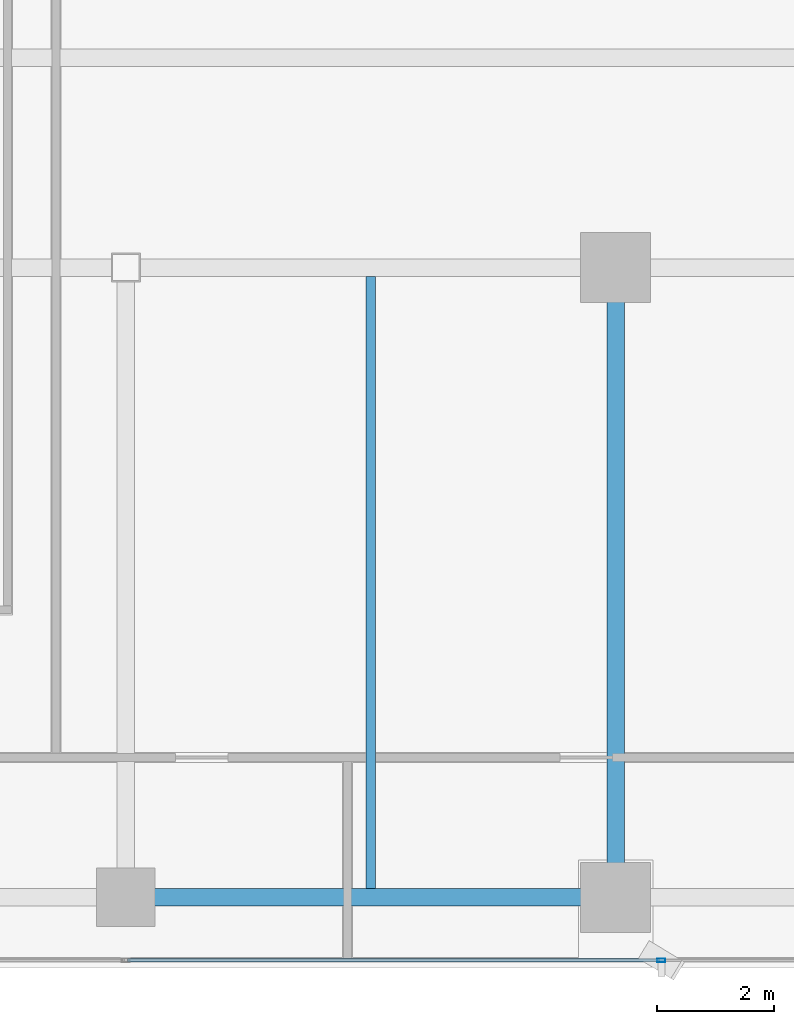
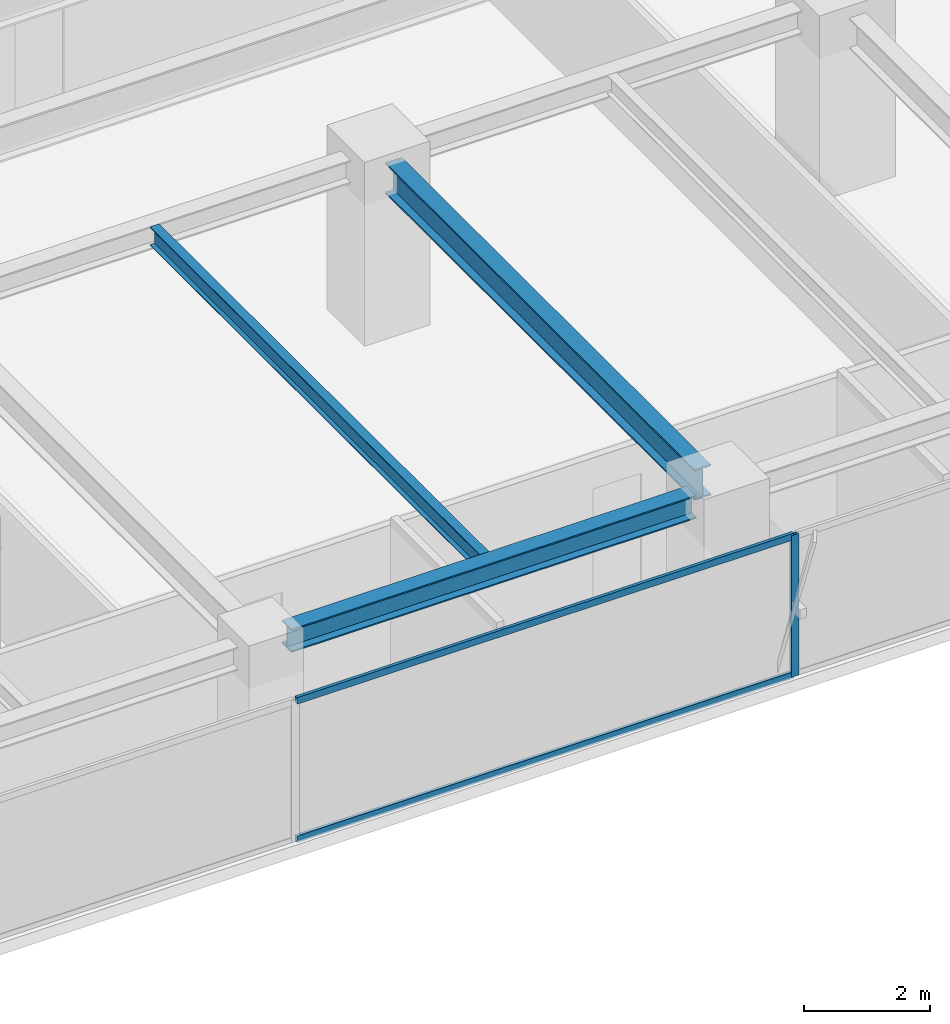
# One storey, part 7 of 26: 3 beams, 3 members, 1 element without a shape of its own.
"""IFC4 building model written with IfcOpenShell, lengths in metres."""

from ifc_helpers import new_model, si_unit, direction, frame, origin, origin_2d, place, context, subcontext, project, spatial, hollow_rectangle, i_section, extrude, source, transform, mapped, material, layer, layer_set, material_profile, profile_set, type_object, element, aggregate, save


model = new_model("IFC4")

# Units and contexts
model_context = context("Model", 3, precision=1e-05, world=origin(), true_north=direction((0.0, 1.0)))
body_context = subcontext(model_context, "Body", "Model", "MODEL_VIEW")
ifc_project = project(units=[si_unit("LENGTHUNIT", "METRE"), si_unit("AREAUNIT", "SQUARE_METRE"), si_unit("VOLUMEUNIT", "CUBIC_METRE"), si_unit("PLANEANGLEUNIT", "RADIAN"), si_unit("MASSUNIT", "GRAM", prefix="KILO")], contexts=[model_context])

# Site, building, storey
site_placement = place(None, origin())
site = spatial("IfcSite", under=ifc_project, at=site_placement, CompositionType="ELEMENT")
building_placement = place(site_placement, origin())
building = spatial("IfcBuilding", under=site, at=building_placement, Name="Sumidabori Civic Tower", CompositionType="ELEMENT")
storey_placement = place(building_placement, frame((0.0, 0.0, 236.0)))
storey = spatial("IfcBuildingStorey", under=building, at=storey_placement, Name="L61", CompositionType="ELEMENT", Elevation=236.0)

# Beams
ifc_material_1 = material(Name="Steel SN490", Category="steel")
ifc_material_profile_1 = material_profile(ifc_material_1, i_section(OverallWidth=0.300048828125, OverallDepth=0.60009765625, WebThickness=0.015380859375, FlangeThickness=0.030029296875, at=origin_2d()), Name="HE 600 B")
ifc_profile_set_1 = profile_set([ifc_material_profile_1], Name="Steel SN490")
beam_type_1 = type_object("IfcBeamType", Name="BM-GIRD-600", PredefinedType="BEAM", material=ifc_profile_set_1)
shared_shape_1 = source(origin(), body_context, "Body", "SweptSolid", [
    extrude(i_section(OverallWidth=0.300048828125, OverallDepth=0.60009765625, WebThickness=0.015380859375, FlangeThickness=0.030029296875, at=origin_2d()), origin(), (0.0, 0.0, 1.0), 9.840087890625),
])
beam_1_placement = place(storey_placement, frame((8.39990234375, -10.320068359375, 3.070068359375), z_axis=(0.0, 1.0, 0.0), x_axis=(-1.0, 0.0, 0.0)))
element("IfcBeam", 1, at=beam_1_placement, inside=storey, type_object=beam_type_1, Name="Primary Girder L61 GY-14", PredefinedType="BEAM", context=body_context, shape_type="MappedRepresentation", body=[
    mapped(shared_shape_1, transform((0.0, 0.0, 0.0), x_axis=(1.0, 0.0, 0.0), y_axis=(0.0, 1.0, 0.0), z_axis=(0.0, 0.0, 1.0), scale=1.0)),
])
ifc_material_profile_2 = material_profile(ifc_material_1, i_section(OverallWidth=0.300048828125, OverallDepth=0.449951171875, WebThickness=0.013916015625, FlangeThickness=0.02587890625, at=origin_2d()), Name="HE 450 B")
ifc_profile_set_2 = profile_set([ifc_material_profile_2], Name="Steel SN490")
beam_type_2 = type_object("IfcBeamType", Name="BM-GIRD-450", PredefinedType="BEAM", material=ifc_profile_set_2)
shared_shape_2 = source(origin(), body_context, "Body", "SweptSolid", [
    extrude(i_section(OverallWidth=0.300048828125, OverallDepth=0.449951171875, WebThickness=0.013916015625, FlangeThickness=0.02587890625, at=origin_2d()), origin(), (0.0, 0.0, 1.0), 7.43994140625),
])
beam_2_placement = place(storey_placement, frame((0.47998046875, -10.800048828125, 3.14501953125), z_axis=(1.0, 0.0, 0.0), x_axis=(0.0, 1.0, 0.0)))
element("IfcBeam", 2, at=beam_2_placement, inside=storey, type_object=beam_type_2, Name="Primary Girder L61 GX-03", PredefinedType="BEAM", context=body_context, shape_type="MappedRepresentation", body=[
    mapped(shared_shape_2, transform((0.0, 0.0, 0.0), x_axis=(1.0, 0.0, 0.0), y_axis=(0.0, 1.0, 0.0), z_axis=(0.0, 0.0, 1.0), scale=1.0)),
])
ifc_material_profile_3 = material_profile(ifc_material_1, i_section(OverallWidth=0.169921875, OverallDepth=0.360107421875, WebThickness=0.008056640625, FlangeThickness=0.0126953125, at=origin_2d()), Name="IPE 360")
ifc_profile_set_3 = profile_set([ifc_material_profile_3], Name="Steel SN490")
beam_type_3 = type_object("IfcBeamType", Name="BM-JST-360", PredefinedType="JOIST", material=ifc_profile_set_3)
shared_shape_3 = source(origin(), body_context, "Body", "SweptSolid", [
    extrude(i_section(OverallWidth=0.169921875, OverallDepth=0.360107421875, WebThickness=0.008056640625, FlangeThickness=0.0126953125, at=origin_2d()), origin(), (0.0, 0.0, 1.0), 10.5),
])
beam_3_placement = place(storey_placement, frame((4.199951171875, -10.64990234375, 3.18994140625), z_axis=(0.0, 1.0, 0.0), x_axis=(-1.0, 0.0, 0.0)))
element("IfcBeam", 3, at=beam_3_placement, inside=storey, type_object=beam_type_3, Name="Upper Lens N-S Floor Joist L61 JSTV-22", PredefinedType="JOIST", context=body_context, shape_type="MappedRepresentation", body=[
    mapped(shared_shape_3, transform((0.0, 0.0, 0.0), x_axis=(1.0, 0.0, 0.0), y_axis=(0.0, 1.0, 0.0), z_axis=(0.0, 0.0, 1.0), scale=1.0)),
])

# Curtain wall, members
ifc_material_2 = material(Name="Anodised Bronze Aluminium AW-6063-T6", Category="aluminium")
ifc_layer = layer(ifc_material_2, 0.179931640625, Name="Anodised Bronze Aluminium AW-6063-T6")
ifc_layer_set = layer_set([ifc_layer], Name="Anodised Bronze Aluminium AW-6063-T6")
curtain_wall_type = type_object("IfcCurtainWallType", Name="CW-SYS-5", PredefinedType="NOTDEFINED", material=ifc_layer_set)
curtain_wall_placement = place(storey_placement, origin())
curtain_wall = element("IfcCurtainWall", 4, at=curtain_wall_placement, inside=storey, type_object=curtain_wall_type, Name="Curtain Wall CW:L61:R01", PredefinedType="NOTDEFINED")
ifc_material_profile_4 = material_profile(ifc_material_2, hollow_rectangle(XDim=0.06005859375, YDim=0.1298828125, WallThickness=0.0048828125, at=origin_2d()), Name="ALU TRANSOM 130x60")
ifc_profile_set_4 = profile_set([ifc_material_profile_4], Name="Anodised Bronze Aluminium AW-6063-T6")
member_type_1 = type_object("IfcMemberType", Name="CW-TRN-130", PredefinedType="USERDEFINED", material=ifc_profile_set_4)
shared_shape_4 = source(origin(), body_context, "Body", "SweptSolid", [
    extrude(hollow_rectangle(XDim=0.06005859375, YDim=0.1298828125, WallThickness=0.0048828125, at=origin_2d()), origin(), (0.0, 0.0, 1.0), 9.125),
])
member_1_placement = place(storey_placement, frame((0.030029296875, -11.8798828125, 0.030029296875), z_axis=(1.0, 0.0, 0.0), x_axis=(0.0, 1.0, 0.0)))
member_1 = element("IfcMember", 5, at=member_1_placement, type_object=member_type_1, Name="CW-5 transom 3.1", ObjectType="TRANSOM", PredefinedType="USERDEFINED", context=body_context, shape_type="MappedRepresentation", body=[
    mapped(shared_shape_4, transform((0.0, 0.0, 0.0), x_axis=(1.0, 0.0, 0.0), y_axis=(0.0, 1.0, 0.0), z_axis=(0.0, 0.0, 1.0), scale=1.0)),
])
member_2_placement = place(storey_placement, frame((0.030029296875, -11.8798828125, 2.719970703125), z_axis=(1.0, 0.0, 0.0), x_axis=(0.0, 1.0, 0.0)))
member_2 = element("IfcMember", 6, at=member_2_placement, type_object=member_type_1, Name="CW-5 transom 3.2", ObjectType="TRANSOM", PredefinedType="USERDEFINED", context=body_context, shape_type="MappedRepresentation", body=[
    mapped(shared_shape_4, transform((0.0, 0.0, 0.0), x_axis=(1.0, 0.0, 0.0), y_axis=(0.0, 1.0, 0.0), z_axis=(0.0, 0.0, 1.0), scale=1.0)),
])
ifc_material_profile_5 = material_profile(ifc_material_2, hollow_rectangle(XDim=0.06005859375, YDim=0.139892578125, WallThickness=0.0048828125, at=origin_2d()), Name="ALU MULLION 140x60")
ifc_profile_set_5 = profile_set([ifc_material_profile_5], Name="Anodised Bronze Aluminium AW-6063-T6")
member_type_2 = type_object("IfcMemberType", Name="CW-MUL-140", PredefinedType="MULLION", material=ifc_profile_set_5)
shared_shape_5 = source(origin(), body_context, "Body", "SweptSolid", [
    extrude(hollow_rectangle(XDim=0.06005859375, YDim=0.139892578125, WallThickness=0.0048828125, at=origin_2d()), origin(), (0.0, 0.0, 1.0), 2.75),
])
member_3_placement = place(storey_placement, frame((9.18505859375, -11.8798828125, 0.0), z_axis=(0.0, 0.0, 1.0), x_axis=(0.0, 1.0, 0.0)))
member_3 = element("IfcMember", 7, at=member_3_placement, type_object=member_type_2, Name="CW-5 mullion 4", PredefinedType="MULLION", context=body_context, shape_type="MappedRepresentation", body=[
    mapped(shared_shape_5, transform((0.0, 0.0, 0.0), x_axis=(1.0, 0.0, 0.0), y_axis=(0.0, 1.0, 0.0), z_axis=(0.0, 0.0, 1.0), scale=1.0)),
])
aggregate(curtain_wall, [member_3, member_1, member_2])

save(model, "model.ifc")
